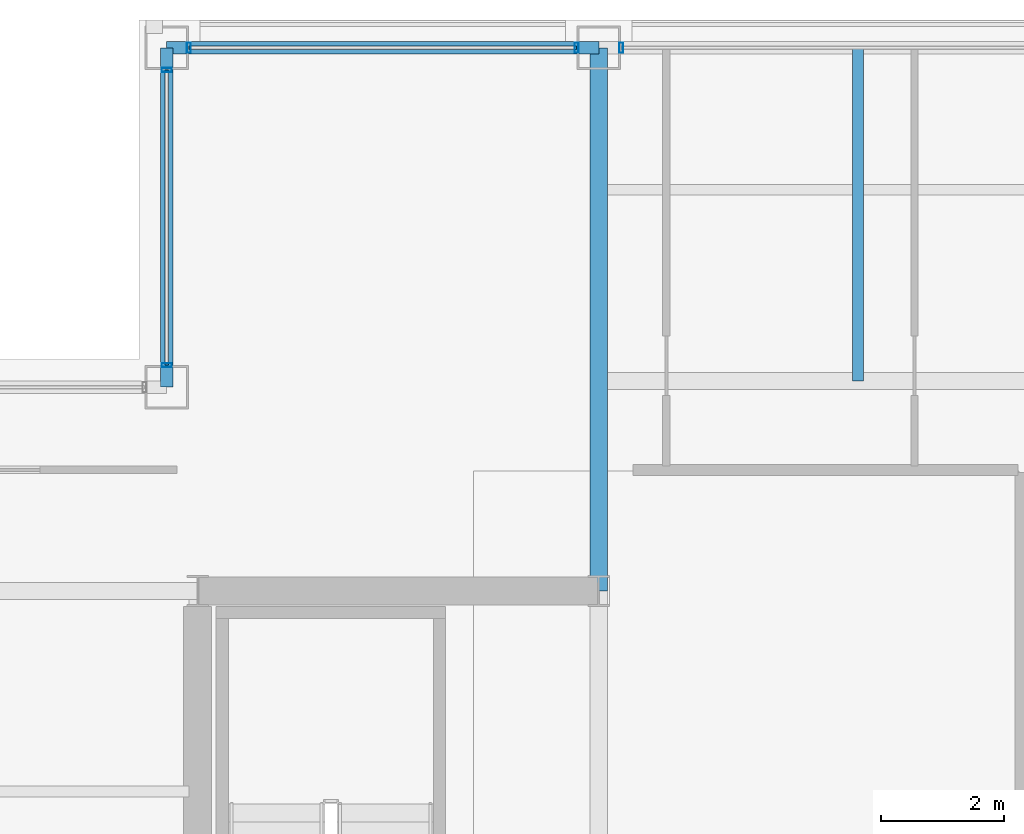
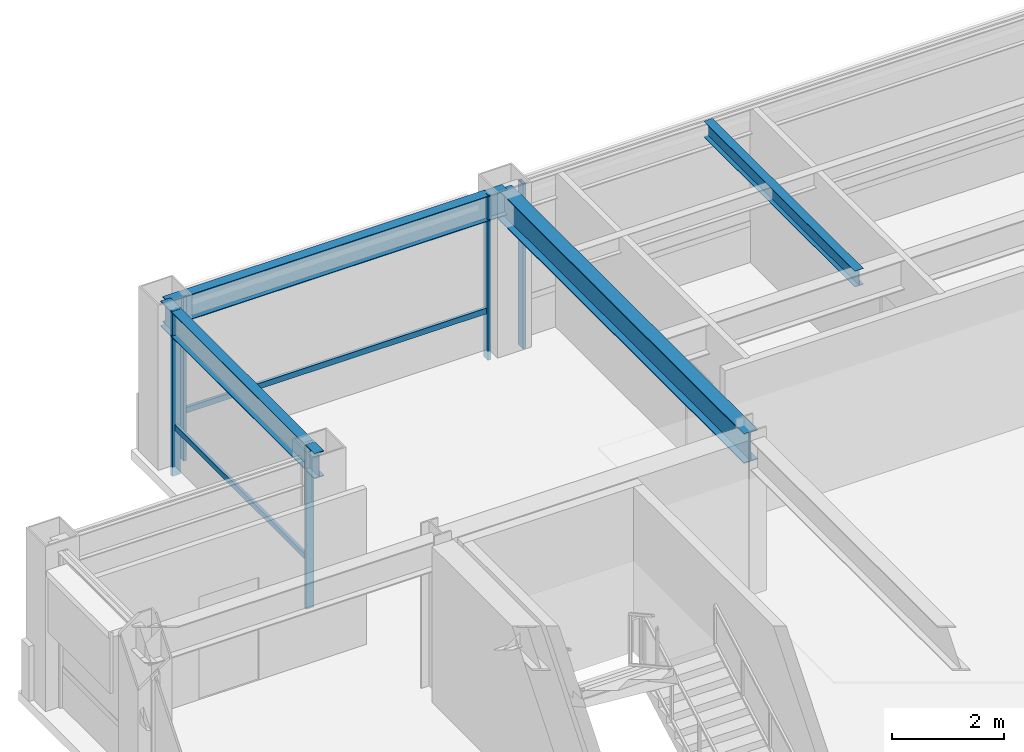
# One storey, part 18 of 26: 7 members, 4 beams, 3 elements without a shape of their own.
"""IFC4 building model written with IfcOpenShell, lengths in metres."""

from ifc_helpers import new_model, si_unit, direction, frame, origin, origin_2d, place, context, subcontext, project, spatial, hollow_rectangle, i_section, extrude, material, layer, layer_set, material_profile, profile_set, type_object, element, aggregate, save


model = new_model("IFC4")

# Units and contexts
model_context = context("Model", 3, precision=1e-05, world=origin(), true_north=direction((0.0, 1.0)))
body_context = subcontext(model_context, "Body", "Model", "MODEL_VIEW")
ifc_project = project(units=[si_unit("LENGTHUNIT", "METRE"), si_unit("AREAUNIT", "SQUARE_METRE"), si_unit("VOLUMEUNIT", "CUBIC_METRE"), si_unit("PLANEANGLEUNIT", "RADIAN"), si_unit("MASSUNIT", "GRAM", prefix="KILO")], contexts=[model_context])

# Site, building, storey
site_placement = place(None, origin())
site = spatial("IfcSite", under=ifc_project, at=site_placement, CompositionType="ELEMENT")
building_placement = place(site_placement, origin())
building = spatial("IfcBuilding", under=site, at=building_placement, Name="Brelmoor Portico Tower", CompositionType="ELEMENT")
storey_placement = place(building_placement, frame((0.0, 0.0, 205.5)))
storey = spatial("IfcBuildingStorey", under=building, at=storey_placement, Name="L54", CompositionType="ELEMENT", Elevation=205.5)

# Beams
ifc_material_1 = material(Name="Steel Q355B", Category="steel")
ifc_material_profile_1 = material_profile(ifc_material_1, i_section(OverallWidth=0.175048828125, OverallDepth=0.35009765625, WebThickness=0.007080078125, FlangeThickness=0.010986328125, at=origin_2d()), Name="HN 350x175x7x11")
ifc_profile_set_1 = profile_set([ifc_material_profile_1], Name="Steel Q355B")
beam_type_1 = type_object("IfcBeamType", Name="BM-JS-350", PredefinedType="JOIST", material=ifc_profile_set_1)
beam_1_placement = place(storey_placement, frame((-3.85009765625, 13.14990234375, 3.22509765625), z_axis=(0.0, 1.0, 0.0), x_axis=(-1.0, 0.0, 0.0)))
element("IfcBeam", 1, at=beam_1_placement, inside=storey, type_object=beam_type_1, Name="L54 NW Turbine Deck Edge Beam", PredefinedType="JOIST", context=body_context, shape_type="SweptSolid", body=[
    extrude(i_section(OverallWidth=0.175048828125, OverallDepth=0.35009765625, WebThickness=0.007080078125, FlangeThickness=0.010986328125, at=origin_2d()), origin(), (0.0, 0.0, 1.0), 5.400146484375),
])
ifc_material_profile_2 = material_profile(ifc_material_1, i_section(OverallWidth=0.280029296875, OverallDepth=0.64990234375, WebThickness=0.012939453125, FlangeThickness=0.02197265625, at=origin_2d()), Name="HN 650x280x13x22")
ifc_profile_set_2 = profile_set([ifc_material_profile_2], Name="Steel Q355B")
beam_type_2 = type_object("IfcBeamType", Name="BM-PG-650", PredefinedType="BEAM", material=ifc_profile_set_2)
beam_2_placement = place(storey_placement, frame((-8.050048828125, 9.75, 3.074951171875), z_axis=(0.0, 1.0, 0.0), x_axis=(-1.0, 0.0, 0.0)))
element("IfcBeam", 2, at=beam_2_placement, inside=storey, type_object=beam_type_2, Name="L54 Primary Floor Girder PG-05", PredefinedType="BEAM", context=body_context, shape_type="SweptSolid", body=[
    extrude(i_section(OverallWidth=0.280029296875, OverallDepth=0.64990234375, WebThickness=0.012939453125, FlangeThickness=0.02197265625, at=origin_2d()), origin(), (0.0, 0.0, 1.0), 8.800048828125),
])
ifc_material_profile_3 = material_profile(ifc_material_1, i_section(OverallWidth=0.199951171875, OverallDepth=0.550048828125, WebThickness=0.010009765625, FlangeThickness=0.01611328125, at=origin_2d()), Name="HN 550x200x10x16")
ifc_profile_set_3 = profile_set([ifc_material_profile_3], Name="Steel Q355B")
beam_type_3 = type_object("IfcBeamType", Name="BM-SP-550", PredefinedType="SPANDREL", material=ifc_profile_set_3)
beam_3_placement = place(storey_placement, frame((-15.050048828125, 18.550048828125, 3.125), z_axis=(1.0, 0.0, 0.0), x_axis=(0.0, 1.0, 0.0)))
element("IfcBeam", 3, at=beam_3_placement, inside=storey, type_object=beam_type_3, Name="L54 Perimeter Spandrel Beam SP-08", PredefinedType="SPANDREL", context=body_context, shape_type="SweptSolid", body=[
    extrude(i_section(OverallWidth=0.199951171875, OverallDepth=0.550048828125, WebThickness=0.010009765625, FlangeThickness=0.01611328125, at=origin_2d()), origin(), (0.0, 0.0, 1.0), 7.0),
])
beam_4_placement = place(storey_placement, frame((-15.050048828125, 13.050048828125, 3.125), z_axis=(0.0, 1.0, 0.0), x_axis=(-1.0, 0.0, 0.0)))
element("IfcBeam", 4, at=beam_4_placement, inside=storey, type_object=beam_type_3, Name="L54 Perimeter Spandrel Beam SP-15", PredefinedType="SPANDREL", context=body_context, shape_type="SweptSolid", body=[
    extrude(i_section(OverallWidth=0.199951171875, OverallDepth=0.550048828125, WebThickness=0.010009765625, FlangeThickness=0.01611328125, at=origin_2d()), origin(), (0.0, 0.0, 1.0), 5.5),
])

# Curtain wall, members
ifc_material_2 = material(Name="Anodised Aluminium Alloy 6063-T6", Category="aluminium")
ifc_layer_1 = layer(ifc_material_2, 0.179931640625)
ifc_layer_set_1 = layer_set([ifc_layer_1], Name="Anodised Aluminium Alloy 6063-T6")
curtain_wall_type_1 = type_object("IfcCurtainWallType", Name="CW-TOWER-Z3", PredefinedType="NOTDEFINED", material=ifc_layer_set_1)
curtain_wall_1_placement = place(storey_placement, origin())
curtain_wall_1 = element("IfcCurtainWall", 5, at=curtain_wall_1_placement, inside=storey, type_object=curtain_wall_type_1, Name="L54 Curtain Wall CW-L54-02-1", PredefinedType="NOTDEFINED")
ifc_material_profile_4 = material_profile(ifc_material_2, hollow_rectangle(XDim=0.06494140625, YDim=0.1650390625, WallThickness=0.00390625, at=origin_2d()), Name="ALU MULLION 65x165")
ifc_profile_set_4 = profile_set([ifc_material_profile_4], Name="Anodised Aluminium Alloy 6063-T6")
member_type_1 = type_object("IfcMemberType", Name="MB-CW-MULL-165", PredefinedType="MULLION", material=ifc_profile_set_4)
member_1_placement = place(storey_placement, frame((-14.68994140625, 18.550048828125, -0.199951171875), z_axis=(0.0, 0.0, 1.0), x_axis=(1.0, 0.0, 0.0)))
member_1 = element("IfcMember", 6, at=member_1_placement, type_object=member_type_1, Name="CW-L54-02-1 Mullion 00", PredefinedType="MULLION", context=body_context, shape_type="SweptSolid", body=[
    extrude(hollow_rectangle(XDim=0.06494140625, YDim=0.1650390625, WallThickness=0.00390625, at=origin_2d()), origin(), (0.0, 0.0, 1.0), 3.599853515625),
])
member_2_placement = place(storey_placement, frame((-8.409912109375, 18.550048828125, -0.199951171875), z_axis=(0.0, 0.0, 1.0), x_axis=(1.0, 0.0, 0.0)))
member_2 = element("IfcMember", 7, at=member_2_placement, type_object=member_type_1, Name="CW-L54-02-1 Mullion 01", PredefinedType="MULLION", context=body_context, shape_type="SweptSolid", body=[
    extrude(hollow_rectangle(XDim=0.06494140625, YDim=0.1650390625, WallThickness=0.00390625, at=origin_2d()), origin(), (0.0, 0.0, 1.0), 3.599853515625),
])

# Curtain wall, member
curtain_wall_2_placement = place(storey_placement, origin())
curtain_wall_2 = element("IfcCurtainWall", 8, at=curtain_wall_2_placement, inside=storey, type_object=curtain_wall_type_1, Name="L54 Curtain Wall CW-L54-02-2", PredefinedType="NOTDEFINED")
member_3_placement = place(storey_placement, frame((-7.68994140625, 18.550048828125, -0.199951171875), z_axis=(0.0, 0.0, 1.0), x_axis=(1.0, 0.0, 0.0)))
member_3 = element("IfcMember", 9, at=member_3_placement, type_object=member_type_1, Name="CW-L54-02-2 Mullion 00", PredefinedType="MULLION", context=body_context, shape_type="SweptSolid", body=[
    extrude(hollow_rectangle(XDim=0.06494140625, YDim=0.1650390625, WallThickness=0.00390625, at=origin_2d()), origin(), (0.0, 0.0, 1.0), 3.599853515625),
])
aggregate(curtain_wall_2, [member_3])

# Curtain wall, members
ifc_layer_2 = layer(ifc_material_2, 0.179931640625)
ifc_layer_set_2 = layer_set([ifc_layer_2], Name="Anodised Aluminium Alloy 6063-T6")
curtain_wall_type_2 = type_object("IfcCurtainWallType", Name="CW-NOTCH-CHAMFER", PredefinedType="NOTDEFINED", material=ifc_layer_set_2)
curtain_wall_3_placement = place(storey_placement, origin())
curtain_wall_3 = element("IfcCurtainWall", 10, at=curtain_wall_3_placement, inside=storey, type_object=curtain_wall_type_2, Name="L54 Curtain Wall CWN-L54-NWV", PredefinedType="NOTDEFINED")
member_4_placement = place(storey_placement, frame((-15.050048828125, 13.409912109375, -0.199951171875), z_axis=(0.0, 0.0, 1.0), x_axis=(0.0, 1.0, 0.0)))
member_4 = element("IfcMember", 11, at=member_4_placement, type_object=member_type_1, Name="CWN-L54-NWV Mullion 00", PredefinedType="MULLION", context=body_context, shape_type="SweptSolid", body=[
    extrude(hollow_rectangle(XDim=0.06494140625, YDim=0.1650390625, WallThickness=0.00390625, at=origin_2d()), origin(), (0.0, 0.0, 1.0), 3.599853515625),
])
member_5_placement = place(storey_placement, frame((-15.050048828125, 18.18994140625, -0.199951171875), z_axis=(0.0, 0.0, 1.0), x_axis=(0.0, 1.0, 0.0)))
member_5 = element("IfcMember", 12, at=member_5_placement, type_object=member_type_1, Name="CWN-L54-NWV Mullion 01", PredefinedType="MULLION", context=body_context, shape_type="SweptSolid", body=[
    extrude(hollow_rectangle(XDim=0.06494140625, YDim=0.1650390625, WallThickness=0.00390625, at=origin_2d()), origin(), (0.0, 0.0, 1.0), 3.599853515625),
])

# Member
ifc_material_profile_5 = material_profile(ifc_material_2, hollow_rectangle(XDim=0.06005859375, YDim=0.125, WallThickness=0.00341796875, at=origin_2d()), Name="ALU TRANSOM 60x125")
ifc_profile_set_5 = profile_set([ifc_material_profile_5], Name="Anodised Aluminium Alloy 6063-T6")
member_type_2 = type_object("IfcMemberType", Name="MB-CW-TRAN-125", PredefinedType="USERDEFINED", material=ifc_profile_set_5)
member_6_placement = place(storey_placement, frame((-14.68994140625, 18.550048828125, 0.85009765625), z_axis=(1.0, 0.0, 0.0), x_axis=(0.0, 1.0, 0.0)))
member_6 = element("IfcMember", 13, at=member_6_placement, type_object=member_type_2, Name="CW-L54-02-1 Transom 1-00", ObjectType="TRANSOM", PredefinedType="USERDEFINED", context=body_context, shape_type="SweptSolid", body=[
    extrude(hollow_rectangle(XDim=0.06005859375, YDim=0.125, WallThickness=0.00341796875, at=origin_2d()), origin(), (0.0, 0.0, 1.0), 6.280029296875),
])

aggregate(curtain_wall_1, [member_1, member_2, member_6])

member_7_placement = place(storey_placement, frame((-15.050048828125, 13.409912109375, 0.85009765625), z_axis=(0.0, 1.0, 0.0), x_axis=(-1.0, 0.0, 0.0)))
member_7 = element("IfcMember", 14, at=member_7_placement, type_object=member_type_2, Name="CWN-L54-NWV Transom 1-00", ObjectType="TRANSOM", PredefinedType="USERDEFINED", context=body_context, shape_type="SweptSolid", body=[
    extrude(hollow_rectangle(XDim=0.06005859375, YDim=0.125, WallThickness=0.00341796875, at=origin_2d()), origin(), (0.0, 0.0, 1.0), 4.780029296875),
])

aggregate(curtain_wall_3, [member_4, member_5, member_7])

save(model, "model.ifc")
